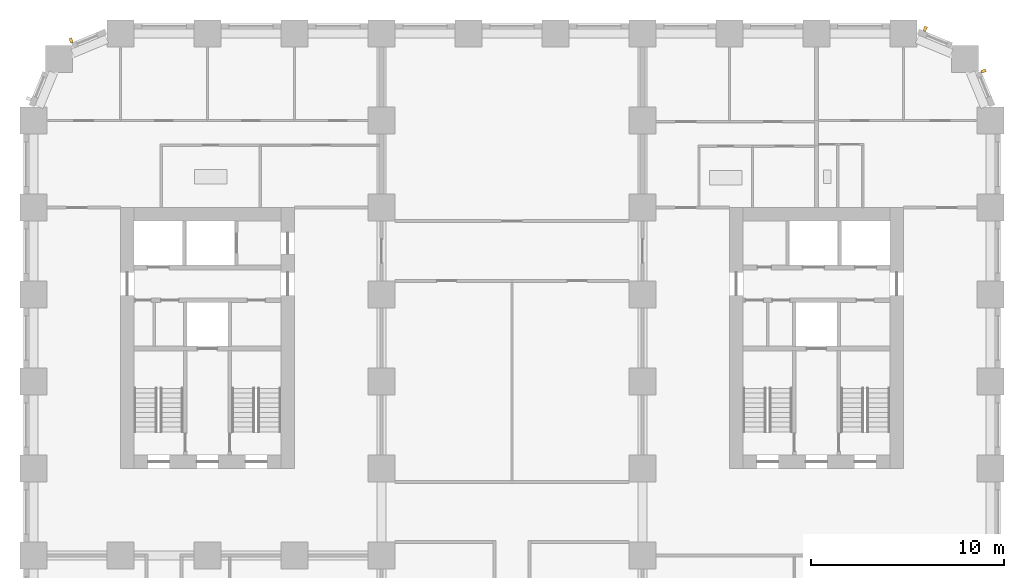
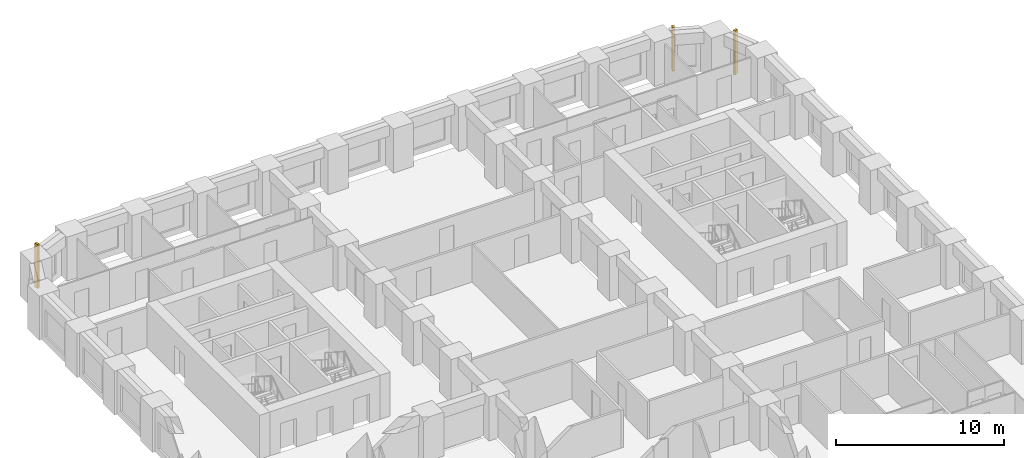
# One storey, part 11 of 12: 3 shading devices.
"""IFC4 building model written with IfcOpenShell, lengths in metres."""

from ifc_helpers import new_model, si_unit, direction, frame, origin, origin_2d, place, context, subcontext, project, spatial, rectangle, extrude, material, type_object, element, save


model = new_model("IFC4")

# Units and contexts
model_context = context("Model", 3, precision=1e-05, world=origin(), true_north=direction((0.0, 1.0)))
body_context = subcontext(model_context, "Body", "Model", "MODEL_VIEW")
ifc_project = project(units=[si_unit("LENGTHUNIT", "METRE"), si_unit("AREAUNIT", "SQUARE_METRE"), si_unit("VOLUMEUNIT", "CUBIC_METRE"), si_unit("PLANEANGLEUNIT", "RADIAN"), si_unit("MASSUNIT", "GRAM", prefix="KILO")], contexts=[model_context])

# Site, building, storey
site_placement = place(None, origin())
site = spatial("IfcSite", under=ifc_project, at=site_placement, CompositionType="ELEMENT")
building_placement = place(site_placement, origin())
building = spatial("IfcBuilding", under=site, at=building_placement, Name="Girih Gate Residences", CompositionType="ELEMENT")
storey_placement = place(building_placement, frame((0.0, 0.0, 33.60009765625)))
storey = spatial("IfcBuildingStorey", under=building, at=storey_placement, Name="L07", CompositionType="ELEMENT", Elevation=33.60009765625)

# Shading devices
ifc_material = material(Name="Precast concrete C50/60", Category="concrete")
shading_device_type = type_object("IfcShadingDeviceType", Name="Corner rib 150x250", PredefinedType="USERDEFINED", material=ifc_material)
for number, where, z_axis, x_axis, name in (
    (1, (49.14501953125, 47.5556640625, 0.0), (0.0, 0.0, 1.0), (-0.382683432365, 0.923879532511, 0.0), "Corner rib NE0495_0450.0"),
    (2, (46.123779296875, 49.738037109375, 0.0), (0.0, 0.0, 1.0), (-0.923879532511, 0.382683432365, 0.0), "Corner rib NE0482_0482.0"),
    (3, (1.9443359375, 49.14501953125, 0.0), (0.0, 0.0, 1.0), (-0.923879532511, -0.382683432365, 0.0), "Corner rib NW0045_0495.0"),
):
    element("IfcShadingDevice", number, at=place(storey_placement, frame(where, z_axis=z_axis, x_axis=x_axis)), inside=storey, type_object=shading_device_type, Name=name, ObjectType="FIN", PredefinedType="USERDEFINED", context=body_context, shape_type="SweptSolid", body=[
        extrude(rectangle(XDim=0.14990234375, YDim=0.25, at=origin_2d()), origin(), (0.0, 0.0, 1.0), 3.199951171875),
    ])

save(model, "model.ifc")
